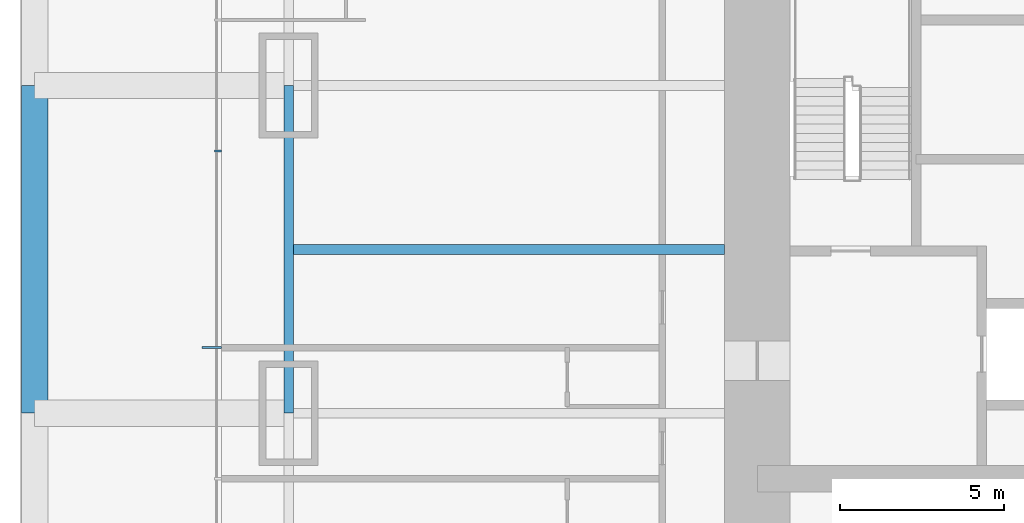
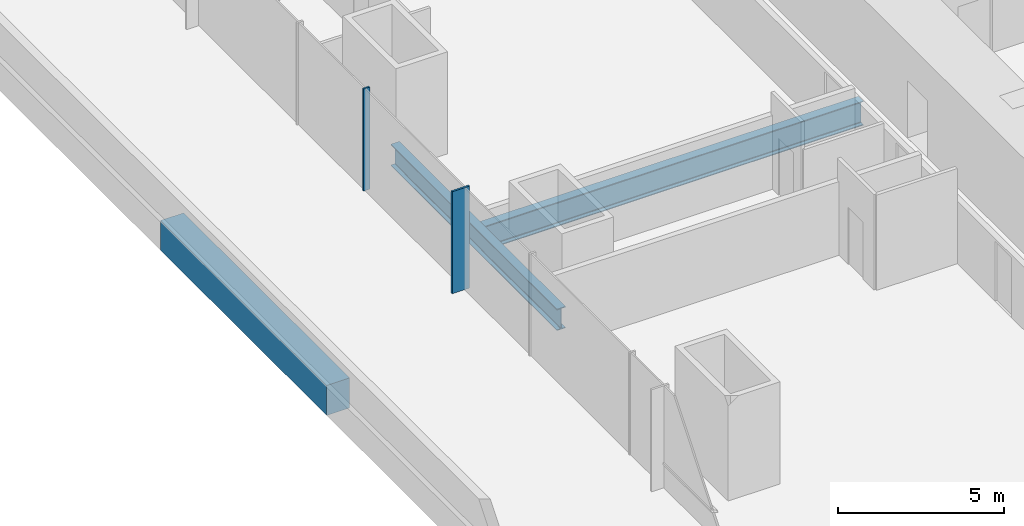
# One storey, part 3 of 20: 3 beams, 2 members, 1 element without a shape of its own.
"""IFC4 building model written with IfcOpenShell, lengths in metres."""

from ifc_helpers import new_model, si_unit, direction, frame, origin, origin_2d, place, context, subcontext, project, spatial, rectangle, i_section, extrude, material, material_profile, profile_set, type_object, element, aggregate, save


model = new_model("IFC4")

# Units and contexts
model_context = context("Model", 3, precision=1e-05, world=origin(), true_north=direction((0.0, 1.0)))
body_context = subcontext(model_context, "Body", "Model", "MODEL_VIEW")
ifc_project = project(units=[si_unit("LENGTHUNIT", "METRE"), si_unit("AREAUNIT", "SQUARE_METRE"), si_unit("VOLUMEUNIT", "CUBIC_METRE"), si_unit("PLANEANGLEUNIT", "RADIAN"), si_unit("MASSUNIT", "GRAM", prefix="KILO")], contexts=[model_context])

# Site, building, storey
site_placement = place(None, origin())
site = spatial("IfcSite", under=ifc_project, at=site_placement, CompositionType="ELEMENT")
building_placement = place(site_placement, origin())
building = spatial("IfcBuilding", under=site, at=building_placement, Name="Khuree Lantern Residences", CompositionType="ELEMENT")
storey_placement = place(building_placement, frame((0.0, 0.0, 21.0)))
storey = spatial("IfcBuildingStorey", under=building, at=storey_placement, Name="L04", CompositionType="ELEMENT", Elevation=21.0)

# Beams
ifc_material_1 = material(Name="Steel S355", Category="steel")
ifc_material_profile_1 = material_profile(ifc_material_1, i_section(OverallWidth=0.300048828125, OverallDepth=0.889892578125, WebThickness=0.01611328125, FlangeThickness=0.030029296875, FilletRadius=0.030029296875, at=origin_2d()), Name="HE 900 A")
ifc_profile_set_1 = profile_set([ifc_material_profile_1], Name="Steel S355")
beam_type_1 = type_object("IfcBeamType", Name="B-11 SECONDARY BEAM HE 900 A", PredefinedType="BEAM", material=ifc_profile_set_1)
beam_1_placement = place(storey_placement, frame((-29.800048828125, -5.0, -0.695068359375), z_axis=(1.0, 0.0, 0.0), x_axis=(0.0, 1.0, 0.0)))
element("IfcBeam", 1, at=beam_1_placement, inside=storey, type_object=beam_type_1, Name="Secondary beam W3", PredefinedType="BEAM", context=body_context, shape_type="SweptSolid", body=[
    extrude(i_section(OverallWidth=0.300048828125, OverallDepth=0.889892578125, WebThickness=0.01611328125, FlangeThickness=0.030029296875, FilletRadius=0.030029296875, at=origin_2d()), origin(), (0.0, 0.0, 1.0), 13.300048828125),
])
ifc_material_profile_2 = material_profile(ifc_material_1, i_section(OverallWidth=0.300048828125, OverallDepth=0.7900390625, WebThickness=0.014892578125, FlangeThickness=0.028076171875, FilletRadius=0.030029296875, at=origin_2d()), Name="HE 800 A")
ifc_profile_set_2 = profile_set([ifc_material_profile_2], Name="Steel S355")
beam_type_2 = type_object("IfcBeamType", Name="E-11 SPANDREL BEAM HE 800 A", PredefinedType="SPANDREL", material=ifc_profile_set_2)
beam_2_placement = place(storey_placement, frame((-29.800048828125, -10.0, -0.64501953125), z_axis=(0.0, 1.0, 0.0), x_axis=(-1.0, 0.0, 0.0)))
element("IfcBeam", 2, at=beam_2_placement, inside=storey, type_object=beam_type_2, Name="Spandrel beam W3", PredefinedType="SPANDREL", context=body_context, shape_type="SweptSolid", body=[
    extrude(i_section(OverallWidth=0.300048828125, OverallDepth=0.7900390625, WebThickness=0.014892578125, FlangeThickness=0.028076171875, FilletRadius=0.030029296875, at=origin_2d()), origin(), (0.0, 0.0, 1.0), 10.0),
])

# Curtain wall, members
ifc_material_2 = material(Name="Bronze anodised aluminium", Category="aluminium")
curtain_wall_type = type_object("IfcCurtainWallType", Name="CW-T1 TOWER FACE CURTAIN WALL", PredefinedType="USERDEFINED", material=ifc_material_2)
curtain_wall_placement = place(storey_placement, origin())
curtain_wall = element("IfcCurtainWall", 3, at=curtain_wall_placement, inside=storey, type_object=curtain_wall_type, Name="L04 WEST FACE CURTAIN WALL", ObjectType="Stick-built curtain wall", PredefinedType="USERDEFINED")
ifc_material_profile_3 = material_profile(ifc_material_2, rectangle(XDim=0.06494140625, YDim=0.60009765625, at=origin_2d()), Name="F1 65X600")
ifc_profile_set_3 = profile_set([ifc_material_profile_3], Name="Bronze anodised aluminium")
member_type_1 = type_object("IfcMemberType", Name="F1 BRONZE FIN MULLION TOWER 65X600", PredefinedType="MULLION", material=ifc_profile_set_3)
member_1_placement = place(storey_placement, frame((-32.14990234375, -8.0, 0.0), z_axis=(0.0, 0.0, 1.0), x_axis=(0.0, -1.0, 0.0)))
member_1 = element("IfcMember", 4, at=member_1_placement, type_object=member_type_1, Name="L04 WEST FACE FIN MULLION 39", PredefinedType="MULLION", context=body_context, shape_type="SweptSolid", body=[
    extrude(rectangle(XDim=0.06494140625, YDim=0.60009765625, at=origin_2d()), origin(), (0.0, 0.0, 1.0), 3.75),
])
ifc_material_profile_4 = material_profile(ifc_material_2, rectangle(XDim=0.06494140625, YDim=0.219970703125, at=origin_2d()), Name="M1 65X220")
ifc_profile_set_4 = profile_set([ifc_material_profile_4], Name="Bronze anodised aluminium")
member_type_2 = type_object("IfcMemberType", Name="M1 BRONZE MULLION TOWER 65X220", PredefinedType="MULLION", material=ifc_profile_set_4)
member_2_placement = place(storey_placement, frame((-31.9599609375, -2.0, 0.0), z_axis=(0.0, 0.0, 1.0), x_axis=(0.0, -1.0, 0.0)))
member_2 = element("IfcMember", 5, at=member_2_placement, type_object=member_type_2, Name="L04 WEST FACE MULLION 38", PredefinedType="MULLION", context=body_context, shape_type="SweptSolid", body=[
    extrude(rectangle(XDim=0.06494140625, YDim=0.219970703125, at=origin_2d()), origin(), (0.0, 0.0, 1.0), 3.75),
])
aggregate(curtain_wall, [member_2, member_1])

# Beam
ifc_material_3 = material(Name="Concrete C40/50", Category="concrete")
ifc_material_profile_5 = material_profile(ifc_material_3, rectangle(XDim=0.800048828125, YDim=1.10009765625, at=origin_2d()), Name="RC 800X1100")
ifc_profile_set_5 = profile_set([ifc_material_profile_5], Name="Concrete C40/50")
beam_type_3 = type_object("IfcBeamType", Name="RB4 PODIUM ROOF BEAM RC 800X1100", PredefinedType="BEAM", material=ifc_profile_set_5)
beam_3_placement = place(storey_placement, frame((-37.550048828125, -10.0, -0.800048828125), z_axis=(0.0, 1.0, 0.0), x_axis=(-1.0, 0.0, 0.0)))
element("IfcBeam", 6, at=beam_3_placement, inside=storey, type_object=beam_type_3, Name="Podium roof beam RB-29", PredefinedType="BEAM", context=body_context, shape_type="SweptSolid", body=[
    extrude(rectangle(XDim=0.800048828125, YDim=1.10009765625, at=origin_2d()), origin(), (0.0, 0.0, 1.0), 10.0),
])

save(model, "model.ifc")
